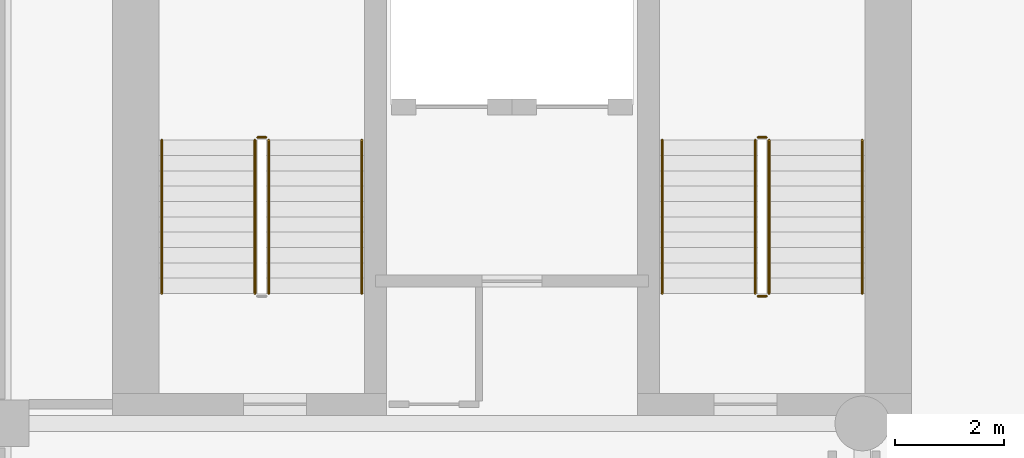
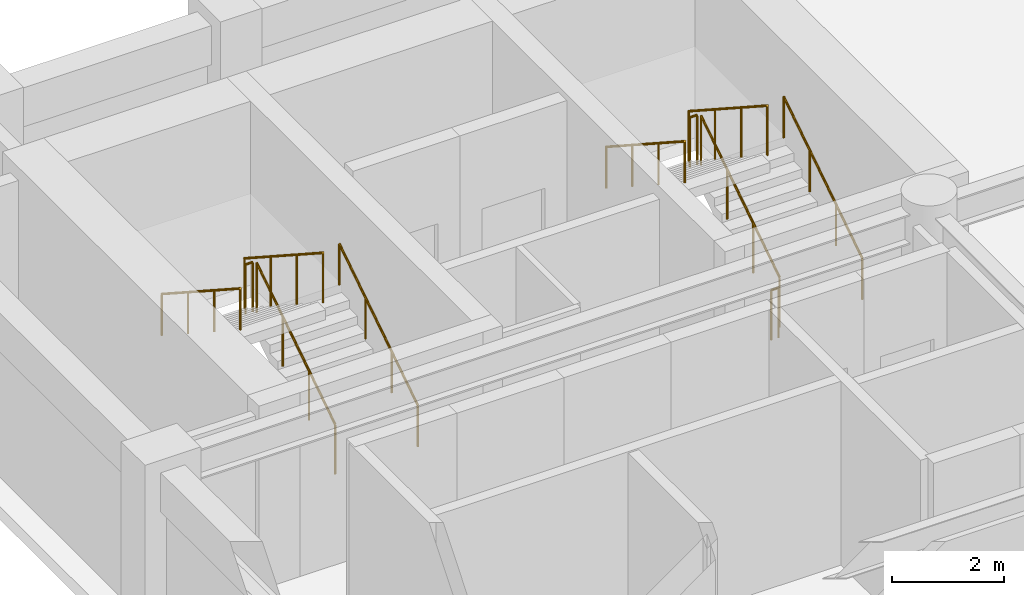
# One storey, part 8 of 9: 11 railings.
"""IFC4 building model written with IfcOpenShell, lengths in metres."""

from ifc_helpers import new_model, si_unit, direction, frame, origin, origin_2d, place, context, subcontext, project, spatial, circle, extrude, material, type_object, element, save


model = new_model("IFC4")

# Units and contexts
model_context = context("Model", 3, precision=1e-05, world=origin(), true_north=direction((0.0, 1.0)))
body_context = subcontext(model_context, "Body", "Model", "MODEL_VIEW")
ifc_project = project(units=[si_unit("LENGTHUNIT", "METRE"), si_unit("AREAUNIT", "SQUARE_METRE"), si_unit("VOLUMEUNIT", "CUBIC_METRE"), si_unit("PLANEANGLEUNIT", "RADIAN"), si_unit("MASSUNIT", "GRAM", prefix="KILO")], contexts=[model_context])

# Site, building, storey
site_placement = place(None, origin())
site = spatial("IfcSite", under=ifc_project, at=site_placement, CompositionType="ELEMENT")
building_placement = place(site_placement, origin())
building = spatial("IfcBuilding", under=site, at=building_placement, Name="Sulina Concourse Tower", CompositionType="ELEMENT")
storey_placement = place(building_placement, frame((0.0, 0.0, 120.60009765625)))
storey = spatial("IfcBuildingStorey", under=building, at=storey_placement, Name="L29", CompositionType="ELEMENT", Elevation=120.60009765625)

# Railings
ifc_material_1 = material(Name="Galvanised steel railing", Category="steel")
railing_type_1 = type_object("IfcRailingType", Name="Core Stair Steel Guardrail 1150mm", PredefinedType="GUARDRAIL", material=ifc_material_1)
railing_1_placement = place(storey_placement, frame((5.554931640625, 36.375, 0.181640625)))
element("IfcRailing", 1, at=railing_1_placement, inside=storey, type_object=railing_type_1, Name="L29 ST-1 stair guard 1", PredefinedType="GUARDRAIL", context=body_context, shape_type="SweptSolid", body=[
    extrude(circle(Radius=0.02392578125, at=origin_2d()), frame((0.0, 0.0, 1.076171875), z_axis=(0.0, 0.838672427954, 0.544636170843), x_axis=(-1.0, 0.0, 0.0)), (0.0, 0.0, 1.0), 3.338623046875),
    extrude(circle(Radius=0.02099609375, at=origin_2d()), origin(), (0.0, 0.0, 1.0), 1.052001953125),
    extrude(circle(Radius=0.02099609375, at=origin_2d()), frame((0.0, 0.933349609375, 0.606201171875)), (0.0, 0.0, 1.0), 1.052001953125),
    extrude(circle(Radius=0.02099609375, at=origin_2d()), frame((0.0, 1.86669921875, 1.212158203125)), (0.0, 0.0, 1.0), 1.052001953125),
    extrude(circle(Radius=0.02099609375, at=origin_2d()), frame((0.0, 2.800048828125, 1.818359375)), (0.0, 0.0, 1.0), 1.052001953125),
])
railing_2_placement = place(storey_placement, frame((5.5048828125, 39.22509765625, 2.0)))
element("IfcRailing", 2, at=railing_2_placement, inside=storey, type_object=railing_type_1, Name="L29 ST-1 stair guard 2", PredefinedType="GUARDRAIL", context=body_context, shape_type="SweptSolid", body=[
    extrude(circle(Radius=0.02392578125, at=origin_2d()), frame((0.0, 0.0, 1.076171875), z_axis=(-1.0, 0.0, 0.0), x_axis=(0.0, -1.0, 0.0)), (0.0, 0.0, 1.0), 0.14990234375),
    extrude(circle(Radius=0.02099609375, at=origin_2d()), origin(), (0.0, 0.0, 1.0), 1.052001953125),
    extrude(circle(Radius=0.02099609375, at=origin_2d()), frame((-0.14990234375, 0.0, 0.0)), (0.0, 0.0, 1.0), 1.052001953125),
])
railing_3_placement = place(storey_placement, frame((5.304931640625, 39.175048828125, 2.181640625)))
element("IfcRailing", 3, at=railing_3_placement, inside=storey, type_object=railing_type_1, Name="L29 ST-1 stair guard 3", PredefinedType="GUARDRAIL", context=body_context, shape_type="SweptSolid", body=[
    extrude(circle(Radius=0.02392578125, at=origin_2d()), frame((0.0, 0.0, 1.076171875), z_axis=(0.0, -0.838672427954, 0.544636170843), x_axis=(1.0, 0.0, 0.0)), (0.0, 0.0, 1.0), 3.338623046875),
    extrude(circle(Radius=0.02099609375, at=origin_2d()), origin(), (0.0, 0.0, 1.0), 1.052001953125),
    extrude(circle(Radius=0.02099609375, at=origin_2d()), frame((0.0, -0.933349609375, 0.606201171875)), (0.0, 0.0, 1.0), 1.052001953125),
    extrude(circle(Radius=0.02099609375, at=origin_2d()), frame((0.0, -1.86669921875, 1.212158203125)), (0.0, 0.0, 1.0), 1.052001953125),
    extrude(circle(Radius=0.02099609375, at=origin_2d()), frame((0.0, -2.800048828125, 1.818359375)), (0.0, 0.0, 1.0), 1.052001953125),
])
railing_4_placement = place(storey_placement, frame((14.695068359375, 36.375, 0.181640625)))
element("IfcRailing", 4, at=railing_4_placement, inside=storey, type_object=railing_type_1, Name="L29 ST-2 stair guard 1", PredefinedType="GUARDRAIL", context=body_context, shape_type="SweptSolid", body=[
    extrude(circle(Radius=0.02392578125, at=origin_2d()), frame((0.0, 0.0, 1.076171875), z_axis=(0.0, 0.838672427954, 0.544636170843), x_axis=(-1.0, 0.0, 0.0)), (0.0, 0.0, 1.0), 3.338623046875),
    extrude(circle(Radius=0.02099609375, at=origin_2d()), origin(), (0.0, 0.0, 1.0), 1.052001953125),
    extrude(circle(Radius=0.02099609375, at=origin_2d()), frame((0.0, 0.933349609375, 0.606201171875)), (0.0, 0.0, 1.0), 1.052001953125),
    extrude(circle(Radius=0.02099609375, at=origin_2d()), frame((0.0, 1.86669921875, 1.212158203125)), (0.0, 0.0, 1.0), 1.052001953125),
    extrude(circle(Radius=0.02099609375, at=origin_2d()), frame((0.0, 2.800048828125, 1.818359375)), (0.0, 0.0, 1.0), 1.052001953125),
])
railing_5_placement = place(storey_placement, frame((14.64501953125, 39.22509765625, 2.0)))
element("IfcRailing", 5, at=railing_5_placement, inside=storey, type_object=railing_type_1, Name="L29 ST-2 stair guard 2", PredefinedType="GUARDRAIL", context=body_context, shape_type="SweptSolid", body=[
    extrude(circle(Radius=0.02392578125, at=origin_2d()), frame((0.0, 0.0, 1.076171875), z_axis=(-1.0, 0.0, 0.0), x_axis=(0.0, -1.0, 0.0)), (0.0, 0.0, 1.0), 0.14990234375),
    extrude(circle(Radius=0.02099609375, at=origin_2d()), origin(), (0.0, 0.0, 1.0), 1.052001953125),
    extrude(circle(Radius=0.02099609375, at=origin_2d()), frame((-0.14990234375, 0.0, 0.0)), (0.0, 0.0, 1.0), 1.052001953125),
])
railing_6_placement = place(storey_placement, frame((14.445068359375, 39.175048828125, 2.181640625)))
element("IfcRailing", 6, at=railing_6_placement, inside=storey, type_object=railing_type_1, Name="L29 ST-2 stair guard 3", PredefinedType="GUARDRAIL", context=body_context, shape_type="SweptSolid", body=[
    extrude(circle(Radius=0.02392578125, at=origin_2d()), frame((0.0, 0.0, 1.076171875), z_axis=(0.0, -0.838672427954, 0.544636170843), x_axis=(1.0, 0.0, 0.0)), (0.0, 0.0, 1.0), 3.338623046875),
    extrude(circle(Radius=0.02099609375, at=origin_2d()), origin(), (0.0, 0.0, 1.0), 1.052001953125),
    extrude(circle(Radius=0.02099609375, at=origin_2d()), frame((0.0, -0.933349609375, 0.606201171875)), (0.0, 0.0, 1.0), 1.052001953125),
    extrude(circle(Radius=0.02099609375, at=origin_2d()), frame((0.0, -1.86669921875, 1.212158203125)), (0.0, 0.0, 1.0), 1.052001953125),
    extrude(circle(Radius=0.02099609375, at=origin_2d()), frame((0.0, -2.800048828125, 1.818359375)), (0.0, 0.0, 1.0), 1.052001953125),
])
railing_7_placement = place(storey_placement, frame((14.64501953125, 36.324951171875, 0.0)))
element("IfcRailing", 7, at=railing_7_placement, inside=storey, type_object=railing_type_1, Name="L29 ST-2 stair guard 4", PredefinedType="GUARDRAIL", context=body_context, shape_type="SweptSolid", body=[
    extrude(circle(Radius=0.02392578125, at=origin_2d()), frame((0.0, 0.0, 1.076171875), z_axis=(-1.0, 0.0, 0.0), x_axis=(0.0, -1.0, 0.0)), (0.0, 0.0, 1.0), 0.14990234375),
    extrude(circle(Radius=0.02099609375, at=origin_2d()), origin(), (0.0, 0.0, 1.0), 1.052001953125),
    extrude(circle(Radius=0.02099609375, at=origin_2d()), frame((-0.14990234375, 0.0, 0.0)), (0.0, 0.0, 1.0), 1.052001953125),
])
ifc_material_2 = material(Name="Galvanised steel railing", Category="steel")
railing_type_2 = type_object("IfcRailingType", Name="Stair Wall Steel Handrail 920mm", PredefinedType="HANDRAIL", material=ifc_material_2)
railing_8_placement = place(storey_placement, frame((7.2548828125, 36.375, 0.181640625)))
element("IfcRailing", 8, at=railing_8_placement, inside=storey, type_object=railing_type_2, Name="L29 ST-1 stair handrail 1", PredefinedType="HANDRAIL", context=body_context, shape_type="SweptSolid", body=[
    extrude(circle(Radius=0.02392578125, at=origin_2d()), frame((0.0, 0.0, 0.89599609375), z_axis=(0.0, 0.838672427954, 0.544636170843), x_axis=(-1.0, 0.0, 0.0)), (0.0, 0.0, 1.0), 3.338623046875),
    extrude(circle(Radius=0.02099609375, at=origin_2d()), origin(), (0.0, 0.0, 1.0), 0.871826171875),
    extrude(circle(Radius=0.02099609375, at=origin_2d()), frame((0.0, 0.933349609375, 0.606201171875)), (0.0, 0.0, 1.0), 0.871826171875),
    extrude(circle(Radius=0.02099609375, at=origin_2d()), frame((0.0, 1.86669921875, 1.212158203125)), (0.0, 0.0, 1.0), 0.871826171875),
    extrude(circle(Radius=0.02099609375, at=origin_2d()), frame((0.0, 2.800048828125, 1.818359375)), (0.0, 0.0, 1.0), 0.871826171875),
])
railing_9_placement = place(storey_placement, frame((3.60498046875, 39.175048828125, 2.181640625)))
element("IfcRailing", 9, at=railing_9_placement, inside=storey, type_object=railing_type_2, Name="L29 ST-1 stair handrail 2", PredefinedType="HANDRAIL", context=body_context, shape_type="SweptSolid", body=[
    extrude(circle(Radius=0.02392578125, at=origin_2d()), frame((0.0, 0.0, 0.89599609375), z_axis=(0.0, -0.838672427954, 0.544636170843), x_axis=(1.0, 0.0, 0.0)), (0.0, 0.0, 1.0), 3.338623046875),
    extrude(circle(Radius=0.02099609375, at=origin_2d()), origin(), (0.0, 0.0, 1.0), 0.871826171875),
    extrude(circle(Radius=0.02099609375, at=origin_2d()), frame((0.0, -0.933349609375, 0.606201171875)), (0.0, 0.0, 1.0), 0.871826171875),
    extrude(circle(Radius=0.02099609375, at=origin_2d()), frame((0.0, -1.86669921875, 1.212158203125)), (0.0, 0.0, 1.0), 0.871826171875),
    extrude(circle(Radius=0.02099609375, at=origin_2d()), frame((0.0, -2.800048828125, 1.818359375)), (0.0, 0.0, 1.0), 0.871826171875),
])
railing_10_placement = place(storey_placement, frame((16.39501953125, 36.375, 0.181640625)))
element("IfcRailing", 10, at=railing_10_placement, inside=storey, type_object=railing_type_2, Name="L29 ST-2 stair handrail 1", PredefinedType="HANDRAIL", context=body_context, shape_type="SweptSolid", body=[
    extrude(circle(Radius=0.02392578125, at=origin_2d()), frame((0.0, 0.0, 0.89599609375), z_axis=(0.0, 0.838672427954, 0.544636170843), x_axis=(-1.0, 0.0, 0.0)), (0.0, 0.0, 1.0), 3.338623046875),
    extrude(circle(Radius=0.02099609375, at=origin_2d()), origin(), (0.0, 0.0, 1.0), 0.871826171875),
    extrude(circle(Radius=0.02099609375, at=origin_2d()), frame((0.0, 0.933349609375, 0.606201171875)), (0.0, 0.0, 1.0), 0.871826171875),
    extrude(circle(Radius=0.02099609375, at=origin_2d()), frame((0.0, 1.86669921875, 1.212158203125)), (0.0, 0.0, 1.0), 0.871826171875),
    extrude(circle(Radius=0.02099609375, at=origin_2d()), frame((0.0, 2.800048828125, 1.818359375)), (0.0, 0.0, 1.0), 0.871826171875),
])
railing_11_placement = place(storey_placement, frame((12.7451171875, 39.175048828125, 2.181640625)))
element("IfcRailing", 11, at=railing_11_placement, inside=storey, type_object=railing_type_2, Name="L29 ST-2 stair handrail 2", PredefinedType="HANDRAIL", context=body_context, shape_type="SweptSolid", body=[
    extrude(circle(Radius=0.02392578125, at=origin_2d()), frame((0.0, 0.0, 0.89599609375), z_axis=(0.0, -0.838672427954, 0.544636170843), x_axis=(1.0, 0.0, 0.0)), (0.0, 0.0, 1.0), 3.338623046875),
    extrude(circle(Radius=0.02099609375, at=origin_2d()), origin(), (0.0, 0.0, 1.0), 0.871826171875),
    extrude(circle(Radius=0.02099609375, at=origin_2d()), frame((0.0, -0.933349609375, 0.606201171875)), (0.0, 0.0, 1.0), 0.871826171875),
    extrude(circle(Radius=0.02099609375, at=origin_2d()), frame((0.0, -1.86669921875, 1.212158203125)), (0.0, 0.0, 1.0), 0.871826171875),
    extrude(circle(Radius=0.02099609375, at=origin_2d()), frame((0.0, -2.800048828125, 1.818359375)), (0.0, 0.0, 1.0), 0.871826171875),
])

save(model, "model.ifc")
